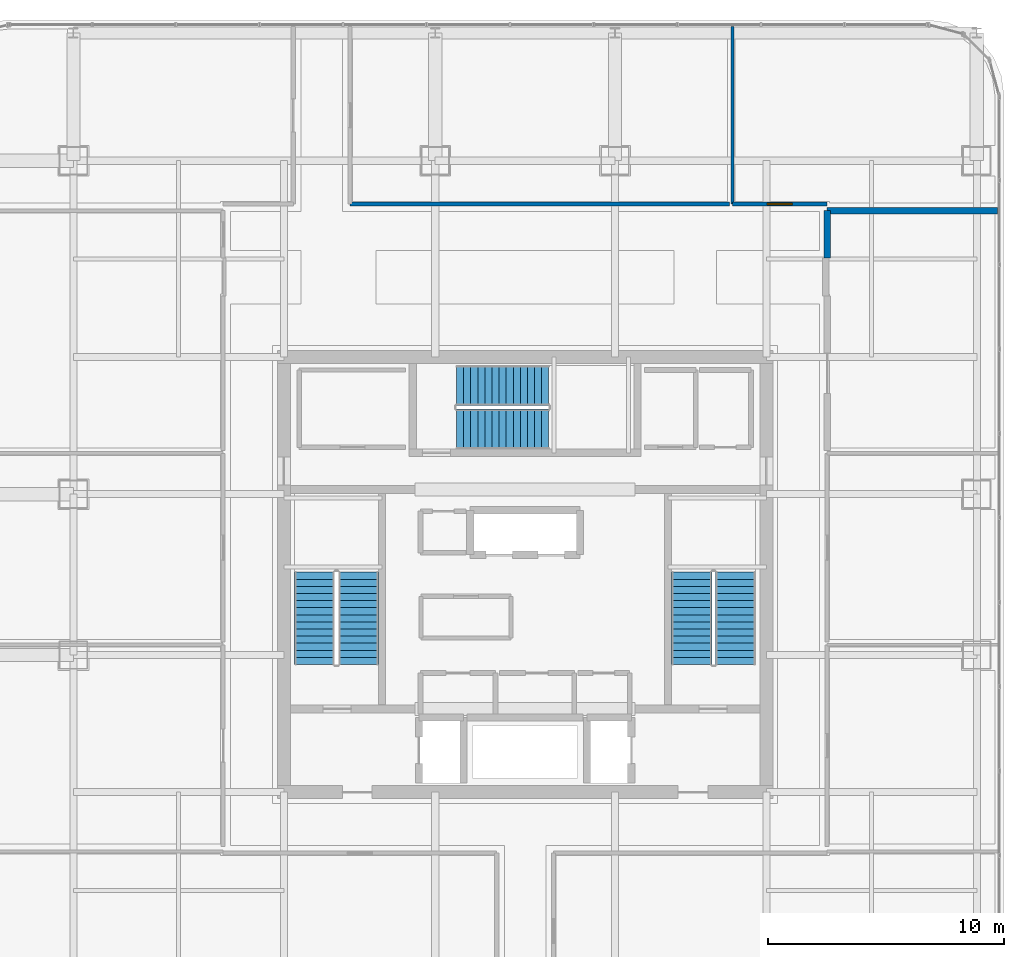
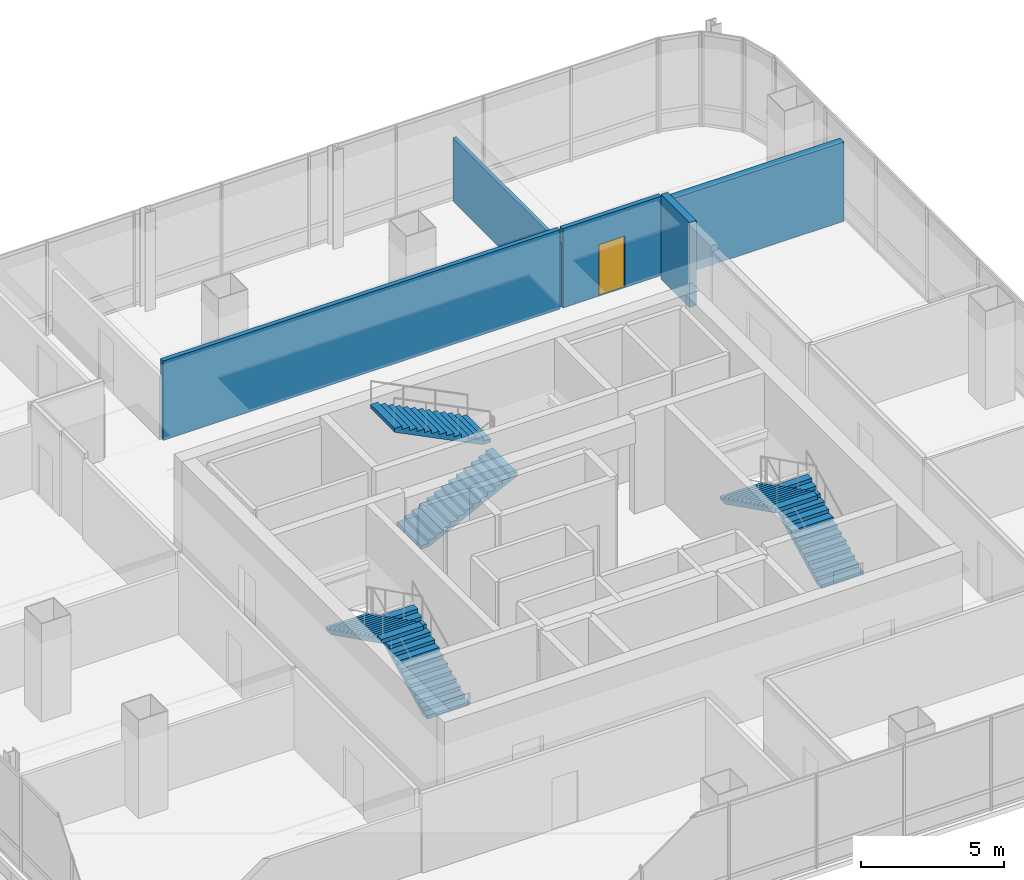
# One storey, part 36 of 41: 6 stair flights, 5 walls, 1 door, 1 opening, 3 elements without a shape of their own.
"""IFC4 building model written with IfcOpenShell, lengths in metres."""

from ifc_helpers import new_model, si_unit, direction, frame, frame_2d, origin, place, context, subcontext, project, spatial, polyline, rectangle, outline, extrude, material, layer, layer_set, type_object, element, fill, aggregate, save


model = new_model("IFC4")

# Units and contexts
model_context = context("Model", 3, precision=1e-05, world=origin(), true_north=direction((0.0, 1.0)))
body_context = subcontext(model_context, "Body", "Model", "MODEL_VIEW")
ifc_project = project(units=[si_unit("LENGTHUNIT", "METRE"), si_unit("AREAUNIT", "SQUARE_METRE"), si_unit("VOLUMEUNIT", "CUBIC_METRE"), si_unit("PLANEANGLEUNIT", "RADIAN"), si_unit("MASSUNIT", "GRAM", prefix="KILO")], contexts=[model_context])

# Site, building, storey
site_placement = place(None, origin())
site = spatial("IfcSite", under=ifc_project, at=site_placement, CompositionType="ELEMENT")
building_placement = place(site_placement, origin())
building = spatial("IfcBuilding", under=site, at=building_placement, Name="Punatoya Terracotta Tower", CompositionType="ELEMENT")
storey_placement = place(building_placement, frame((0.0, 0.0, 292.199951171875)))
storey = spatial("IfcBuildingStorey", under=building, at=storey_placement, Name="L69", CompositionType="ELEMENT", Elevation=292.199951171875)

# Walls
ifc_material_1 = material(Name="Concrete C40/50", Category="concrete")
ifc_layer_1 = layer(ifc_material_1, 0.280029296875)
ifc_layer_set_1 = layer_set([ifc_layer_1], Name="Concrete C40/50")
wall_type_1 = type_object("IfcWallType", Name="WL-AUD-280", PredefinedType="SOLIDWALL", material=ifc_layer_set_1)
wall_1_placement = place(storey_placement, frame((12.77001953125, 13.3798828125, 0.0), z_axis=(0.0, 0.0, 1.0), x_axis=(0.0, 1.0, 0.0)))
element("IfcWall", 1, at=wall_1_placement, inside=storey, type_object=wall_type_1, Name="L69 Fitness Movement Lounge Partition 44", PredefinedType="SOLIDWALL", context=body_context, shape_type="SweptSolid", body=[
    extrude(rectangle(XDim=2.010009765625, YDim=0.280029296875, at=frame_2d((1.0048828125, 0.0))), origin(), (0.0, 0.0, 1.0), 3.634033203125),
])
wall_2_placement = place(storey_placement, frame((12.77001953125, 15.389892578125, 0.0), z_axis=(0.0, 0.0, 1.0), x_axis=(1.0, 0.0, 0.0)))
element("IfcWall", 2, at=wall_2_placement, inside=storey, type_object=wall_type_1, Name="L69 Fitness Movement Lounge Partition 45", PredefinedType="SOLIDWALL", context=body_context, shape_type="SweptSolid", body=[
    extrude(rectangle(XDim=7.199951171875, YDim=0.280029296875, at=frame_2d((3.60009765625, 0.0))), origin(), (0.0, 0.0, 1.0), 3.39404296875),
])

# Wall, opening, door
ifc_material_2 = material(Name="Gypsum Fireboard + Steel Stud", Category="steel")
ifc_layer_2 = layer(ifc_material_2, 0.179931640625)
ifc_layer_set_2 = layer_set([ifc_layer_2], Name="Gypsum Fireboard + Steel Stud")
wall_type_2 = type_object("IfcWallType", Name="WL-CORR-180", PredefinedType="PARTITIONING", material=ifc_layer_set_2)
wall_3_placement = place(storey_placement, frame((12.77001953125, 15.669921875, 0.0), z_axis=(0.0, 0.0, 1.0), x_axis=(-1.0, 0.0, 0.0)))
wall_3 = element("IfcWall", 3, at=wall_3_placement, inside=storey, type_object=wall_type_2, Name="L69 Open-Plan Coaching Briefing Room Partition 48", PredefinedType="PARTITIONING", context=body_context, shape_type="SweptSolid", body=[
    extrude(rectangle(XDim=3.998046875, YDim=0.179931640625, at=frame_2d((1.9990234375, 0.0))), origin(), (0.0, 0.0, 1.0), 3.39404296875),
])
opening_placement = place(wall_3_placement, frame((1.47412109375, 0.0, 0.0)))
opening = element("IfcOpeningElement", 4, at=opening_placement, cuts=wall_3, Name="Opening OD-01", PredefinedType="OPENING", context=body_context, shape_type="SweptSolid", body=[
    extrude(rectangle(XDim=1.050048828125, YDim=2.199951171875, at=frame_2d((0.52490234375, 1.10009765625))), frame((0.0, 0.099853515625, 0.0), z_axis=(0.0, -1.0, 0.0), x_axis=(1.0, 0.0, 0.0)), (0.0, 0.0, 1.0), 0.199951171875),
])
ifc_material_3 = material(Name="Bengal Teak Solid-Core Leaf")
door_type = type_object("IfcDoorType", Name="DR-OFF-1050", OperationType="NOTDEFINED", PredefinedType="DOOR", material=ifc_material_3)
door_placement = place(opening_placement, origin())
door = element("IfcDoor", 5, at=door_placement, inside=storey, type_object=door_type, Name="L69 Open-Plan Coaching Briefing Room Door", OperationType="SINGLE_SWING_RIGHT", OverallHeight=2.199951171875, OverallWidth=1.050048828125, PredefinedType="DOOR", context=body_context, shape_type="SweptSolid", body=[
    extrude(rectangle(XDim=1.050048828125, YDim=2.199951171875, at=frame_2d((0.52490234375, 1.10009765625))), frame((0.0, 0.02490234375, 0.0), z_axis=(0.0, -1.0, 0.0), x_axis=(1.0, 0.0, 0.0)), (0.0, 0.0, 1.0), 0.050048828125),
])
fill(opening, door)

# Walls
wall_4_placement = place(storey_placement, frame((8.652099609375, 15.669921875, 0.0), z_axis=(0.0, 0.0, 1.0), x_axis=(-1.0, 0.0, 0.0)))
element("IfcWall", 6, at=wall_4_placement, inside=storey, type_object=wall_type_2, Name="L69 Open-Plan Staff Wellness Studio Partition 51", PredefinedType="PARTITIONING", context=body_context, shape_type="SweptSolid", body=[
    extrude(rectangle(XDim=16.052001953125, YDim=0.179931640625, at=frame_2d((8.02587890625, 0.0))), origin(), (0.0, 0.0, 1.0), 3.39404296875),
])
ifc_material_4 = material(Name="Acoustic Gypsum + Steel Stud", Category="steel")
ifc_layer_3 = layer(ifc_material_4, 0.139892578125)
ifc_layer_set_3 = layer_set([ifc_layer_3], Name="Acoustic Gypsum + Steel Stud")
wall_type_3 = type_object("IfcWallType", Name="WL-OFF-140", PredefinedType="PARTITIONING", material=ifc_layer_set_3)
wall_5_placement = place(storey_placement, frame((8.77197265625, 15.669921875, 0.0), z_axis=(0.0, 0.0, 1.0), x_axis=(0.0, 1.0, 0.0)))
element("IfcWall", 7, at=wall_5_placement, inside=storey, type_object=wall_type_3, Name="L69 Open-Plan Coaching Briefing Room Partition 49", PredefinedType="PARTITIONING", context=body_context, shape_type="SweptSolid", body=[
    extrude(rectangle(XDim=7.5, YDim=0.139892578125, at=frame_2d((3.75, 0.0))), origin(), (0.0, 0.0, 1.0), 2.714111328125),
])

# Stair, stair flights
stair_type_1 = type_object("IfcStairType", Name="STR-CORE-1550", PredefinedType="HALF_TURN_STAIR", material=ifc_material_1)
stair_1_placement = place(storey_placement, origin())
stair_1 = element("IfcStair", 8, at=stair_1_placement, inside=storey, type_object=stair_type_1, Name="L69 Protected Core Exit Stair ST-1", PredefinedType="HALF_TURN_STAIR")
stair_flight_type_1 = type_object("IfcStairFlightType", Name="SFL-CORE-1550", PredefinedType="STRAIGHT", material=ifc_material_1)
stair_flight_1_placement = place(storey_placement, frame((-7.050048828125, -3.800048828125, 0.0), z_axis=(0.0, 0.0, 1.0), x_axis=(0.0, 1.0, 0.0)))
stair_flight_1 = element("IfcStairFlight", 9, at=stair_flight_1_placement, type_object=stair_flight_type_1, Name="ST-1 flight 1", NumberOfRisers=14, NumberOfTreads=13, PredefinedType="STRAIGHT", RiserHeight=0.15, TreadLength=0.3, context=body_context, shape_type="SweptSolid", body=[
    extrude(outline(polyline([(0.0, 0.0), (0.0, 0.14990234375), (0.300048828125, 0.14990234375), (0.300048828125, 0.300048828125), (0.60009765625, 0.300048828125), (0.60009765625, 0.449951171875), (0.89990234375, 0.449951171875), (0.89990234375, 0.60009765625), (1.199951171875, 0.60009765625), (1.199951171875, 0.75), (1.5, 0.75), (1.5, 0.89990234375), (1.800048828125, 0.89990234375), (1.800048828125, 1.050048828125), (2.10009765625, 1.050048828125), (2.10009765625, 1.199951171875), (2.39990234375, 1.199951171875), (2.39990234375, 1.35009765625), (2.699951171875, 1.35009765625), (2.699951171875, 1.5), (3.0, 1.5), (3.0, 1.64990234375), (3.300048828125, 1.64990234375), (3.300048828125, 1.800048828125), (3.60009765625, 1.800048828125), (3.60009765625, 1.949951171875), (3.89990234375, 1.949951171875), (3.89990234375, 2.10009765625), (3.89990234375, 1.782470703125), (0.335205078125, 0.0), (0.0, 0.0)])), frame((0.0, 0.85009765625, 0.0), z_axis=(0.0, -1.0, 0.0), x_axis=(1.0, 0.0, 0.0)), (0.0, 0.0, 1.0), 1.699951171875),
])
stair_flight_2_placement = place(storey_placement, frame((-8.89990234375, 0.10009765625, 2.10009765625), z_axis=(0.0, 0.0, 1.0), x_axis=(0.0, -1.0, 0.0)))
stair_flight_2 = element("IfcStairFlight", 10, at=stair_flight_2_placement, type_object=stair_flight_type_1, Name="ST-1 flight 2", NumberOfRisers=14, NumberOfTreads=13, PredefinedType="STRAIGHT", RiserHeight=0.15, TreadLength=0.3, context=body_context, shape_type="SweptSolid", body=[
    extrude(outline(polyline([(0.0, 0.0), (0.0, 0.14990234375), (0.300048828125, 0.14990234375), (0.300048828125, 0.300048828125), (0.60009765625, 0.300048828125), (0.60009765625, 0.449951171875), (0.89990234375, 0.449951171875), (0.89990234375, 0.60009765625), (1.199951171875, 0.60009765625), (1.199951171875, 0.75), (1.5, 0.75), (1.5, 0.89990234375), (1.800048828125, 0.89990234375), (1.800048828125, 1.050048828125), (2.10009765625, 1.050048828125), (2.10009765625, 1.199951171875), (2.39990234375, 1.199951171875), (2.39990234375, 1.35009765625), (2.699951171875, 1.35009765625), (2.699951171875, 1.5), (3.0, 1.5), (3.0, 1.64990234375), (3.300048828125, 1.64990234375), (3.300048828125, 1.800048828125), (3.60009765625, 1.800048828125), (3.60009765625, 1.949951171875), (3.89990234375, 1.949951171875), (3.89990234375, 2.10009765625), (3.89990234375, 1.782470703125), (0.335205078125, 0.0), (0.0, 0.0)])), frame((0.0, 0.85009765625, 0.0), z_axis=(0.0, -1.0, 0.0), x_axis=(1.0, 0.0, 0.0)), (0.0, 0.0, 1.0), 1.699951171875),
])
aggregate(stair_1, [stair_flight_1, stair_flight_2])

stair_type_2 = type_object("IfcStairType", Name="STR-LOB-1650", PredefinedType="HALF_TURN_STAIR", material=ifc_material_1)
stair_2_placement = place(storey_placement, origin())
stair_2 = element("IfcStair", 11, at=stair_2_placement, inside=storey, type_object=stair_type_2, Name="L69 Protected Core Exit Stair ST-2", PredefinedType="HALF_TURN_STAIR")
stair_flight_type_2 = type_object("IfcStairFlightType", Name="SFL-LOB-1650", PredefinedType="STRAIGHT", material=ifc_material_1)
stair_flight_3_placement = place(storey_placement, frame((8.89990234375, -3.800048828125, 0.0), z_axis=(0.0, 0.0, 1.0), x_axis=(0.0, 1.0, 0.0)))
stair_flight_3 = element("IfcStairFlight", 12, at=stair_flight_3_placement, type_object=stair_flight_type_2, Name="ST-2 flight 1", NumberOfRisers=14, NumberOfTreads=13, PredefinedType="STRAIGHT", RiserHeight=0.15, TreadLength=0.3, context=body_context, shape_type="SweptSolid", body=[
    extrude(outline(polyline([(0.0, 0.0), (0.0, 0.14990234375), (0.300048828125, 0.14990234375), (0.300048828125, 0.300048828125), (0.60009765625, 0.300048828125), (0.60009765625, 0.449951171875), (0.89990234375, 0.449951171875), (0.89990234375, 0.60009765625), (1.199951171875, 0.60009765625), (1.199951171875, 0.75), (1.5, 0.75), (1.5, 0.89990234375), (1.800048828125, 0.89990234375), (1.800048828125, 1.050048828125), (2.10009765625, 1.050048828125), (2.10009765625, 1.199951171875), (2.39990234375, 1.199951171875), (2.39990234375, 1.35009765625), (2.699951171875, 1.35009765625), (2.699951171875, 1.5), (3.0, 1.5), (3.0, 1.64990234375), (3.300048828125, 1.64990234375), (3.300048828125, 1.800048828125), (3.60009765625, 1.800048828125), (3.60009765625, 1.949951171875), (3.89990234375, 1.949951171875), (3.89990234375, 2.10009765625), (3.89990234375, 1.782470703125), (0.335205078125, 0.0), (0.0, 0.0)])), frame((0.0, 0.85009765625, 0.0), z_axis=(0.0, -1.0, 0.0), x_axis=(1.0, 0.0, 0.0)), (0.0, 0.0, 1.0), 1.699951171875),
])
stair_flight_4_placement = place(storey_placement, frame((7.050048828125, 0.10009765625, 2.10009765625), z_axis=(0.0, 0.0, 1.0), x_axis=(0.0, -1.0, 0.0)))
stair_flight_4 = element("IfcStairFlight", 13, at=stair_flight_4_placement, type_object=stair_flight_type_2, Name="ST-2 flight 2", NumberOfRisers=14, NumberOfTreads=13, PredefinedType="STRAIGHT", RiserHeight=0.15, TreadLength=0.3, context=body_context, shape_type="SweptSolid", body=[
    extrude(outline(polyline([(0.0, 0.0), (0.0, 0.14990234375), (0.300048828125, 0.14990234375), (0.300048828125, 0.300048828125), (0.60009765625, 0.300048828125), (0.60009765625, 0.449951171875), (0.89990234375, 0.449951171875), (0.89990234375, 0.60009765625), (1.199951171875, 0.60009765625), (1.199951171875, 0.75), (1.5, 0.75), (1.5, 0.89990234375), (1.800048828125, 0.89990234375), (1.800048828125, 1.050048828125), (2.10009765625, 1.050048828125), (2.10009765625, 1.199951171875), (2.39990234375, 1.199951171875), (2.39990234375, 1.35009765625), (2.699951171875, 1.35009765625), (2.699951171875, 1.5), (3.0, 1.5), (3.0, 1.64990234375), (3.300048828125, 1.64990234375), (3.300048828125, 1.800048828125), (3.60009765625, 1.800048828125), (3.60009765625, 1.949951171875), (3.89990234375, 1.949951171875), (3.89990234375, 2.10009765625), (3.89990234375, 1.782470703125), (0.335205078125, 0.0), (0.0, 0.0)])), frame((0.0, 0.85009765625, 0.0), z_axis=(0.0, -1.0, 0.0), x_axis=(1.0, 0.0, 0.0)), (0.0, 0.0, 1.0), 1.699951171875),
])
aggregate(stair_2, [stair_flight_3, stair_flight_4])

stair_type_3 = type_object("IfcStairType", Name="STR-TER-1450", PredefinedType="HALF_TURN_STAIR", material=ifc_material_1)
stair_3_placement = place(storey_placement, origin())
stair_3 = element("IfcStair", 14, at=stair_3_placement, inside=storey, type_object=stair_type_3, Name="L69 Protected Core Exit Stair ST-3", PredefinedType="HALF_TURN_STAIR")
stair_flight_type_3 = type_object("IfcStairFlightType", Name="SFL-TER-1450", PredefinedType="STRAIGHT", material=ifc_material_1)
stair_flight_5_placement = place(storey_placement, frame((-2.89990234375, 6.14990234375, 0.0), z_axis=(0.0, 0.0, 1.0), x_axis=(1.0, 0.0, 0.0)))
stair_flight_5 = element("IfcStairFlight", 15, at=stair_flight_5_placement, type_object=stair_flight_type_3, Name="ST-3 flight 1", NumberOfRisers=14, NumberOfTreads=13, PredefinedType="STRAIGHT", RiserHeight=0.15, TreadLength=0.3, context=body_context, shape_type="SweptSolid", body=[
    extrude(outline(polyline([(0.0, 0.0), (0.0, 0.14990234375), (0.300048828125, 0.14990234375), (0.300048828125, 0.300048828125), (0.60009765625, 0.300048828125), (0.60009765625, 0.449951171875), (0.89990234375, 0.449951171875), (0.89990234375, 0.60009765625), (1.199951171875, 0.60009765625), (1.199951171875, 0.75), (1.5, 0.75), (1.5, 0.89990234375), (1.800048828125, 0.89990234375), (1.800048828125, 1.050048828125), (2.10009765625, 1.050048828125), (2.10009765625, 1.199951171875), (2.39990234375, 1.199951171875), (2.39990234375, 1.35009765625), (2.699951171875, 1.35009765625), (2.699951171875, 1.5), (3.0, 1.5), (3.0, 1.64990234375), (3.300048828125, 1.64990234375), (3.300048828125, 1.800048828125), (3.60009765625, 1.800048828125), (3.60009765625, 1.949951171875), (3.89990234375, 1.949951171875), (3.89990234375, 2.10009765625), (3.89990234375, 1.782470703125), (0.335205078125, 0.0), (0.0, 0.0)])), frame((0.0, 0.85009765625, 0.0), z_axis=(0.0, -1.0, 0.0), x_axis=(1.0, 0.0, 0.0)), (0.0, 0.0, 1.0), 1.699951171875),
])
stair_flight_6_placement = place(storey_placement, frame((1.0, 8.0, 2.10009765625), z_axis=(0.0, 0.0, 1.0), x_axis=(-1.0, 0.0, 0.0)))
stair_flight_6 = element("IfcStairFlight", 16, at=stair_flight_6_placement, type_object=stair_flight_type_3, Name="ST-3 flight 2", NumberOfRisers=14, NumberOfTreads=13, PredefinedType="STRAIGHT", RiserHeight=0.15, TreadLength=0.3, context=body_context, shape_type="SweptSolid", body=[
    extrude(outline(polyline([(0.0, 0.0), (0.0, 0.14990234375), (0.300048828125, 0.14990234375), (0.300048828125, 0.300048828125), (0.60009765625, 0.300048828125), (0.60009765625, 0.449951171875), (0.89990234375, 0.449951171875), (0.89990234375, 0.60009765625), (1.199951171875, 0.60009765625), (1.199951171875, 0.75), (1.5, 0.75), (1.5, 0.89990234375), (1.800048828125, 0.89990234375), (1.800048828125, 1.050048828125), (2.10009765625, 1.050048828125), (2.10009765625, 1.199951171875), (2.39990234375, 1.199951171875), (2.39990234375, 1.35009765625), (2.699951171875, 1.35009765625), (2.699951171875, 1.5), (3.0, 1.5), (3.0, 1.64990234375), (3.300048828125, 1.64990234375), (3.300048828125, 1.800048828125), (3.60009765625, 1.800048828125), (3.60009765625, 1.949951171875), (3.89990234375, 1.949951171875), (3.89990234375, 2.10009765625), (3.89990234375, 1.782470703125), (0.335205078125, 0.0), (0.0, 0.0)])), frame((0.0, 0.85009765625, 0.0), z_axis=(0.0, -1.0, 0.0), x_axis=(1.0, 0.0, 0.0)), (0.0, 0.0, 1.0), 1.699951171875),
])
aggregate(stair_3, [stair_flight_5, stair_flight_6])

save(model, "model.ifc")
